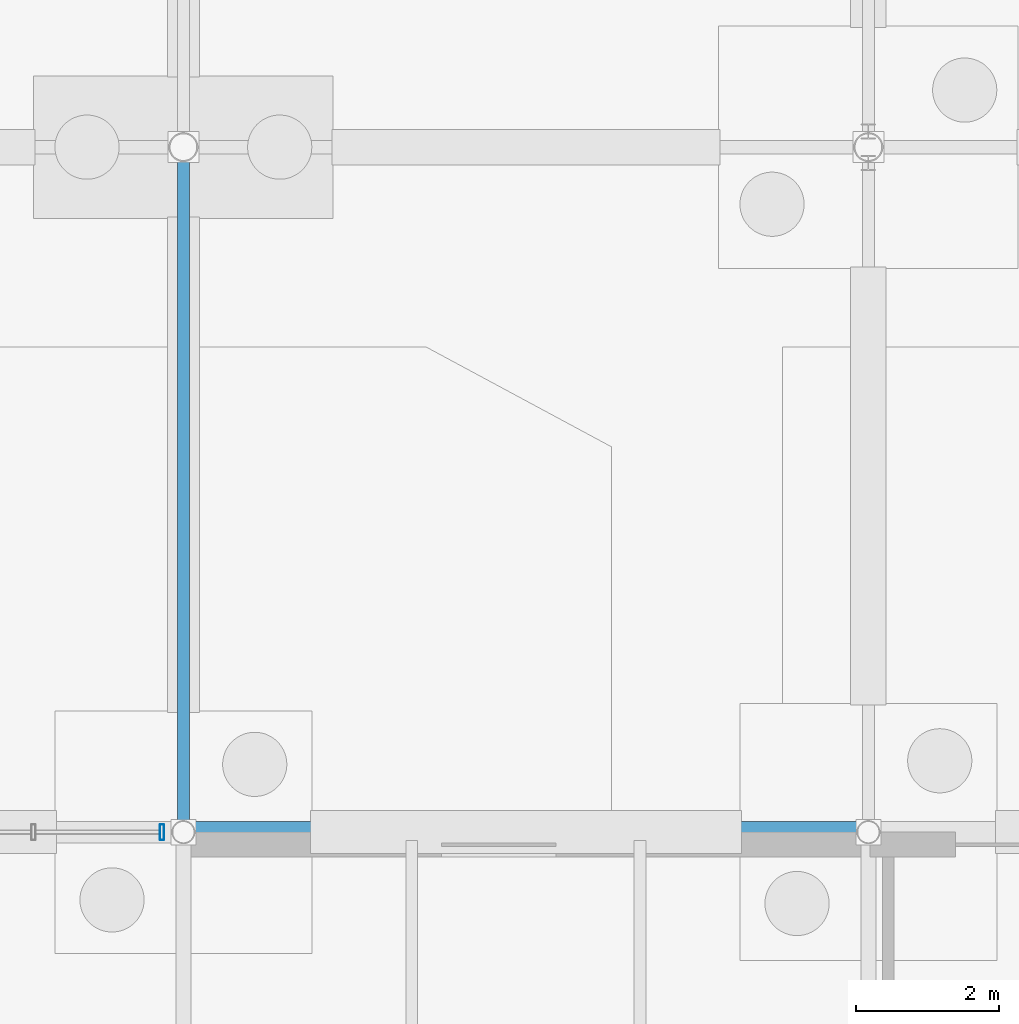
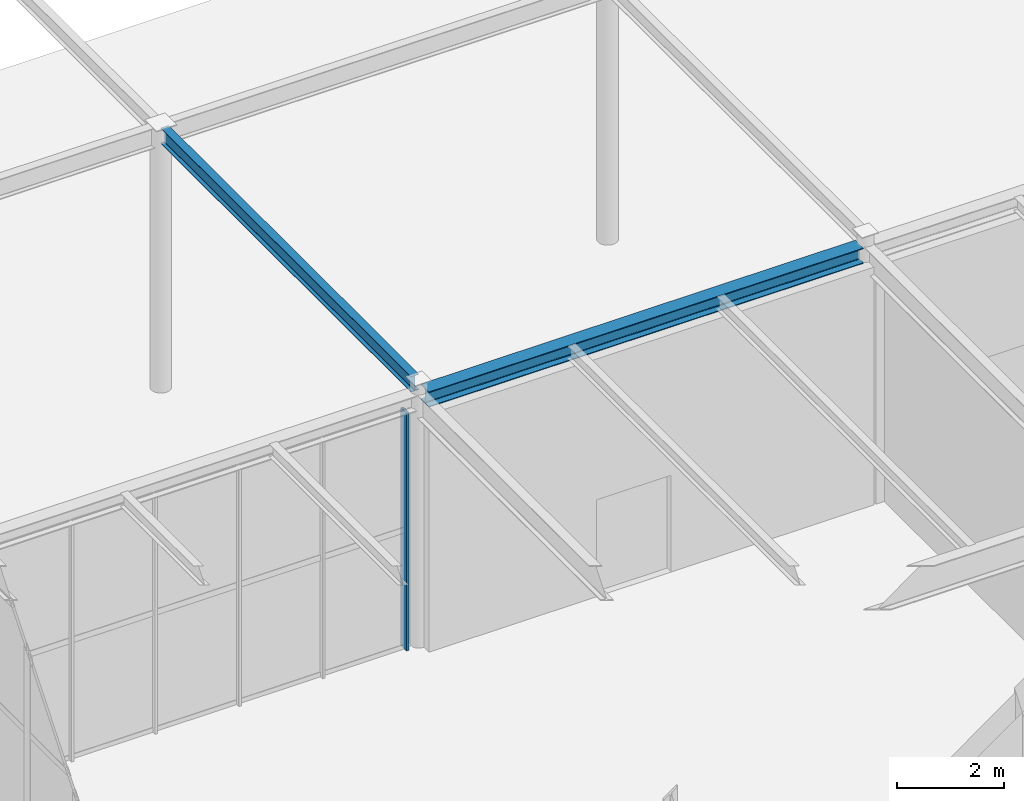
# One storey, part 77 of 142: 2 beams, 1 member, 1 element without a shape of its own.
"""IFC4 building model written with IfcOpenShell, lengths in metres."""

from ifc_helpers import new_model, si_unit, direction, frame, origin, origin_2d, place, context, subcontext, project, spatial, hollow_rectangle, i_section, extrude, material, material_profile, profile_set, type_object, element, aggregate, save


model = new_model("IFC4")

# Units and contexts
model_context = context("Model", 3, precision=1e-05, world=origin(), true_north=direction((0.0, 1.0)))
body_context = subcontext(model_context, "Body", "Model", "MODEL_VIEW")
ifc_project = project(units=[si_unit("LENGTHUNIT", "METRE"), si_unit("AREAUNIT", "SQUARE_METRE"), si_unit("VOLUMEUNIT", "CUBIC_METRE"), si_unit("PLANEANGLEUNIT", "RADIAN"), si_unit("MASSUNIT", "GRAM", prefix="KILO")], contexts=[model_context])

# Site, building, storey
site_placement = place(None, origin())
site = spatial("IfcSite", under=ifc_project, at=site_placement, CompositionType="ELEMENT")
building_placement = place(site_placement, origin())
building = spatial("IfcBuilding", under=site, at=building_placement, Name="Coralgate Yard Interchange", CompositionType="ELEMENT")
storey_placement = place(building_placement, origin())
storey = spatial("IfcBuildingStorey", under=building, at=storey_placement, Name="L00", CompositionType="ELEMENT", Elevation=0.0)

# Beams
ifc_material_1 = material(Name="Structural steel S355J2", Category="steel")
ifc_material_profile_1 = material_profile(ifc_material_1, i_section(OverallWidth=0.17138671875, OverallDepth=0.35498046875, WebThickness=0.00732421875, FlangeThickness=0.011474609375, FilletRadius=0.01025390625, at=origin_2d()), Name="UB 356x171x51")
ifc_profile_set_1 = profile_set([ifc_material_profile_1], Name="Structural steel S355J2")
beam_type_1 = type_object("IfcBeamType", Name="BM-SB-4", PredefinedType="BEAM", material=ifc_profile_set_1)
beam_1_placement = place(storey_placement, frame((48.0, 96.139892578125, 5.822509765625), z_axis=(0.0, 1.0, 0.0), x_axis=(-1.0, 0.0, 0.0)))
element("IfcBeam", 1, at=beam_1_placement, inside=storey, type_object=beam_type_1, Name="Wave-canopy transverse girder X5-Y10", PredefinedType="BEAM", context=body_context, shape_type="SweptSolid", body=[
    extrude(i_section(OverallWidth=0.17138671875, OverallDepth=0.35498046875, WebThickness=0.00732421875, FlangeThickness=0.011474609375, FilletRadius=0.01025390625, at=origin_2d()), origin(), (0.0, 0.0, 1.0), 9.320068359375),
])
ifc_material_profile_2 = material_profile(ifc_material_1, i_section(OverallWidth=0.300048828125, OverallDepth=0.35009765625, WebThickness=0.010009765625, FlangeThickness=0.017578125, FilletRadius=0.027099609375, at=origin_2d()), Name="HEA 360")
ifc_profile_set_2 = profile_set([ifc_material_profile_2], Name="Structural steel S355J2")
beam_type_2 = type_object("IfcBeamType", Name="BM-SP-1", PredefinedType="SPANDREL", material=ifc_profile_set_2)
beam_2_placement = place(storey_placement, frame((48.132080078125, 96.0, 5.574951171875), z_axis=(1.0, 0.0, 0.0), x_axis=(0.0, 1.0, 0.0)))
element("IfcBeam", 2, at=beam_2_placement, inside=storey, type_object=beam_type_2, Name="L00 primary grid beam Y10 X5-6", PredefinedType="SPANDREL", context=body_context, shape_type="SweptSolid", body=[
    extrude(i_section(OverallWidth=0.300048828125, OverallDepth=0.35009765625, WebThickness=0.010009765625, FlangeThickness=0.017578125, FilletRadius=0.027099609375, at=origin_2d()), origin(), (0.0, 0.0, 1.0), 9.3359375),
])

# Curtain wall, member
ifc_material_2 = material(Name="Anodised coastal aluminium and solar-control low-E glass", Category="aluminium")
curtain_wall_type = type_object("IfcCurtainWallType", Name="CW-CW-L00-B", PredefinedType="NOTDEFINED", material=ifc_material_2)
curtain_wall_placement = place(storey_placement, origin())
curtain_wall = element("IfcCurtainWall", 3, at=curtain_wall_placement, inside=storey, type_object=curtain_wall_type, Name="L00 unitised curtain wall CW-L00-N-04-09", PredefinedType="NOTDEFINED")
ifc_material_3 = material(Name="Anodised coastal aluminium 6063-T6", Category="aluminium")
ifc_material_profile_3 = material_profile(ifc_material_3, hollow_rectangle(XDim=0.06005859375, YDim=0.219970703125, WallThickness=0.00390625, InnerFilletRadius=0.00390625, OuterFilletRadius=0.008056640625, at=origin_2d()), Name="ALU 60x220x4")
ifc_profile_set_3 = profile_set([ifc_material_profile_3], Name="Anodised coastal aluminium 6063-T6")
member_type = type_object("IfcMemberType", Name="MB-MUL-220", PredefinedType="MULLION", material=ifc_profile_set_3)
member_placement = place(storey_placement, frame((47.699951171875, 96.0, 0.0), z_axis=(0.0, 0.0, 1.0), x_axis=(1.0, 0.0, 0.0)))
member = element("IfcMember", 4, at=member_placement, type_object=member_type, Name="CW-L00-N-04-09 vertical mullion 6", PredefinedType="MULLION", context=body_context, shape_type="SweptSolid", body=[
    extrude(hollow_rectangle(XDim=0.06005859375, YDim=0.219970703125, WallThickness=0.00390625, InnerFilletRadius=0.00390625, OuterFilletRadius=0.008056640625, at=origin_2d()), origin(), (0.0, 0.0, 1.0), 5.39990234375),
])
aggregate(curtain_wall, [member])

save(model, "model.ifc")
